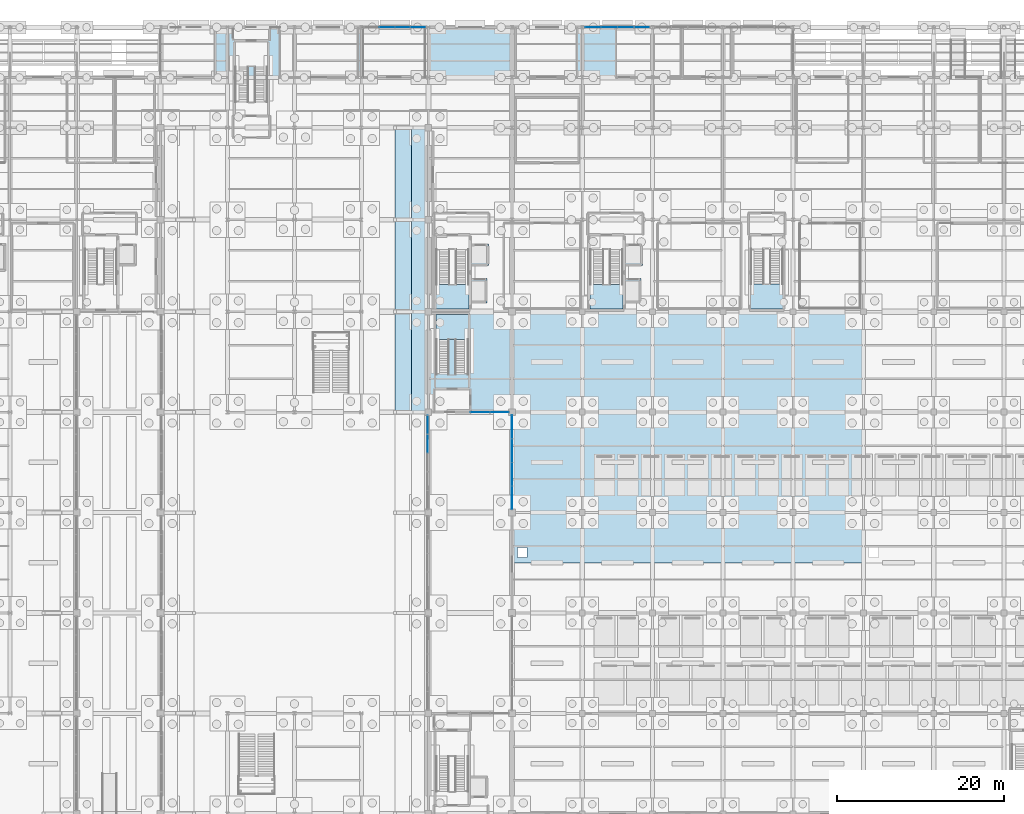
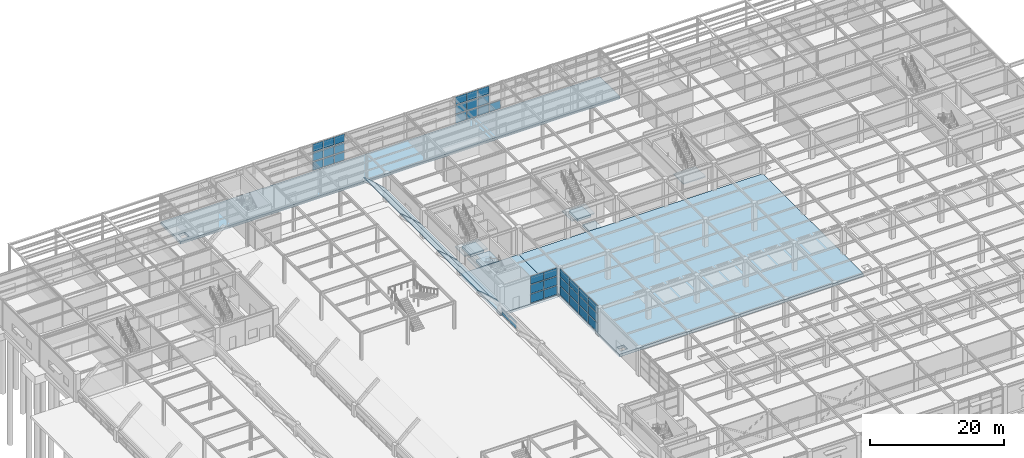
# One storey, part 89 of 129: 41 plates, 17 slabs, 9 elements without a shape of their own.
"""IFC4 building model written with IfcOpenShell, lengths in metres."""

from ifc_helpers import new_model, si_unit, direction, frame, origin, origin_2d, place, context, subcontext, project, spatial, polyline, rectangle, outline, extrude, material, layer, layer_set, type_object, element, aggregate, save


model = new_model("IFC4")

# Units and contexts
model_context = context("Model", 3, precision=1e-05, world=origin(), true_north=direction((0.0, 1.0)))
body_context = subcontext(model_context, "Body", "Model", "MODEL_VIEW")
ifc_project = project(units=[si_unit("LENGTHUNIT", "METRE"), si_unit("AREAUNIT", "SQUARE_METRE"), si_unit("VOLUMEUNIT", "CUBIC_METRE"), si_unit("PLANEANGLEUNIT", "RADIAN"), si_unit("MASSUNIT", "GRAM", prefix="KILO")], contexts=[model_context])

# Site, building, storey
site_placement = place(None, origin())
site = spatial("IfcSite", under=ifc_project, at=site_placement, CompositionType="ELEMENT")
building_placement = place(site_placement, origin())
building = spatial("IfcBuilding", under=site, at=building_placement, Name="Sitalva Quay Ferry Terminal", CompositionType="ELEMENT")
storey_placement = place(building_placement, origin())
storey = spatial("IfcBuildingStorey", under=building, at=storey_placement, Name="L01", CompositionType="ELEMENT", Elevation=0.0)

# Curtain wall, plates
ifc_material_1 = material(Name="Anodised Aluminium & Low-E Glazing", Category="aluminium")
ifc_layer_1 = layer(ifc_material_1, 0.159912109375)
ifc_layer_set_1 = layer_set([ifc_layer_1], Name="Anodised Aluminium & Low-E Glazing")
curtain_wall_type_1 = type_object("IfcCurtainWallType", Name="CW_VaultArch_Glazed", PredefinedType="USERDEFINED", material=ifc_layer_set_1)
curtain_wall_1_placement = place(storey_placement, origin())
curtain_wall_1 = element("IfcCurtainWall", 1, at=curtain_wall_1_placement, inside=storey, type_object=curtain_wall_type_1, Name="V1-E shallow-arch base glazing (CW-L01-032)", ObjectType="CURTAIN_WALL", PredefinedType="USERDEFINED")
ifc_material_2 = material(Name="Clear Low-Iron Arch Glazing", Category="glass")
ifc_layer_2 = layer(ifc_material_2, 0.02587890625)
ifc_layer_set_2 = layer_set([ifc_layer_2], Name="Clear Low-Iron Arch Glazing")
plate_type_1 = type_object("IfcPlateType", Name="Panel_Arch_IGU_26", PredefinedType="CURTAIN_PANEL", material=ifc_layer_set_2)
plate_1_placement = place(storey_placement, frame((73.919921875, 62.239990234375, 0.1552734375), z_axis=(0.0, 0.0, 1.0), x_axis=(0.0, 1.0, 0.0)))
plate_1 = element("IfcPlate", 2, at=plate_1_placement, type_object=plate_type_1, Name="CW-L01-032-P3-0", PredefinedType="CURTAIN_PANEL", context=body_context, shape_type="SweptSolid", body=[
    extrude(rectangle(XDim=2.169921875, YDim=0.02587890625, at=origin_2d()), origin(), (0.0, 0.0, 1.0), 0.698486328125),
])
plate_2_placement = place(storey_placement, frame((73.919921875, 62.239990234375, 1.0087890625), z_axis=(0.0, 0.0, 1.0), x_axis=(0.0, 1.0, 0.0)))
plate_2 = element("IfcPlate", 3, at=plate_2_placement, type_object=plate_type_1, Name="CW-L01-032-P3-1", PredefinedType="CURTAIN_PANEL", context=body_context, shape_type="SweptSolid", body=[
    extrude(rectangle(XDim=2.169921875, YDim=0.02587890625, at=origin_2d()), origin(), (0.0, 0.0, 1.0), 0.543701171875),
])
plate_3_placement = place(storey_placement, frame((73.919921875, 64.47998046875, 0.155029296875), z_axis=(0.0, 0.0, 1.0), x_axis=(0.0, 1.0, 0.0)))
plate_3 = element("IfcPlate", 4, at=plate_3_placement, type_object=plate_type_1, Name="CW-L01-032-P4-0", PredefinedType="CURTAIN_PANEL", context=body_context, shape_type="SweptSolid", body=[
    extrude(rectangle(XDim=2.169921875, YDim=0.02587890625, at=origin_2d()), origin(), (0.0, 0.0, 1.0), 0.544921875),
])
plate_4_placement = place(storey_placement, frame((73.919921875, 64.47998046875, 0.85498046875), z_axis=(0.0, 0.0, 1.0), x_axis=(0.0, 1.0, 0.0)))
plate_4 = element("IfcPlate", 5, at=plate_4_placement, type_object=plate_type_1, Name="CW-L01-032-P4-1", PredefinedType="CURTAIN_PANEL", context=body_context, shape_type="SweptSolid", body=[
    extrude(rectangle(XDim=2.169921875, YDim=0.02587890625, at=origin_2d()), origin(), (0.0, 0.0, 1.0), 0.389892578125),
])
aggregate(curtain_wall_1, [plate_1, plate_2, plate_3, plate_4])

ifc_material_3 = material(Name="Anodised Aluminium & Low-E Glazing", Category="aluminium")
ifc_layer_3 = layer(ifc_material_3, 0.159912109375)
ifc_layer_set_3 = layer_set([ifc_layer_3], Name="Anodised Aluminium & Low-E Glazing")
curtain_wall_type_2 = type_object("IfcCurtainWallType", Name="CW_Podium_Stick", PredefinedType="USERDEFINED", material=ifc_layer_set_3)
curtain_wall_2_placement = place(storey_placement, origin())
curtain_wall_2 = element("IfcCurtainWall", 6, at=curtain_wall_2_placement, inside=storey, type_object=curtain_wall_type_2, Name="L01 east monsoon court north glazing (CW-L01-075)", ObjectType="CURTAIN_WALL", PredefinedType="USERDEFINED")
ifc_material_4 = material(Name="Laminated Low-E Double Glazing", Category="glass")
ifc_layer_4 = layer(ifc_material_4, 0.028076171875)
ifc_layer_set_4 = layer_set([ifc_layer_4], Name="Laminated Low-E Double Glazing")
plate_type_2 = type_object("IfcPlateType", Name="Panel_LowE_IGU_28", PredefinedType="CURTAIN_PANEL", material=ifc_layer_set_4)
plate_5_placement = place(storey_placement, frame((80.199951171875, 66.0, 0.155029296875), z_axis=(0.0, 0.0, 1.0), x_axis=(1.0, 0.0, 0.0)))
plate_5 = element("IfcPlate", 7, at=plate_5_placement, type_object=plate_type_2, Name="CW-L01-075-P0-0", PredefinedType="CURTAIN_PANEL", context=body_context, shape_type="SweptSolid", body=[
    extrude(rectangle(XDim=2.22509765625, YDim=0.028076171875, at=origin_2d()), origin(), (0.0, 0.0, 1.0), 1.5517578125),
])
plate_6_placement = place(storey_placement, frame((80.199951171875, 66.0, 1.861572265625), z_axis=(0.0, 0.0, 1.0), x_axis=(1.0, 0.0, 0.0)))
plate_6 = element("IfcPlate", 8, at=plate_6_placement, type_object=plate_type_2, Name="CW-L01-075-P0-1", PredefinedType="CURTAIN_PANEL", context=body_context, shape_type="SweptSolid", body=[
    extrude(rectangle(XDim=2.22509765625, YDim=0.028076171875, at=origin_2d()), origin(), (0.0, 0.0, 1.0), 1.5517578125),
])
plate_7_placement = place(storey_placement, frame((80.199951171875, 66.0, 3.568359375), z_axis=(0.0, 0.0, 1.0), x_axis=(1.0, 0.0, 0.0)))
plate_7 = element("IfcPlate", 9, at=plate_7_placement, type_object=plate_type_2, Name="CW-L01-075-P0-2", PredefinedType="CURTAIN_PANEL", context=body_context, shape_type="SweptSolid", body=[
    extrude(rectangle(XDim=2.22509765625, YDim=0.028076171875, at=origin_2d()), origin(), (0.0, 0.0, 1.0), 1.396728515625),
])
plate_8_placement = place(storey_placement, frame((82.5, 66.0, 0.155029296875), z_axis=(0.0, 0.0, 1.0), x_axis=(1.0, 0.0, 0.0)))
plate_8 = element("IfcPlate", 10, at=plate_8_placement, type_object=plate_type_2, Name="CW-L01-075-P1-0", PredefinedType="CURTAIN_PANEL", context=body_context, shape_type="SweptSolid", body=[
    extrude(rectangle(XDim=2.22509765625, YDim=0.028076171875, at=origin_2d()), origin(), (0.0, 0.0, 1.0), 1.5517578125),
])
plate_9_placement = place(storey_placement, frame((82.5, 66.0, 1.861572265625), z_axis=(0.0, 0.0, 1.0), x_axis=(1.0, 0.0, 0.0)))
plate_9 = element("IfcPlate", 11, at=plate_9_placement, type_object=plate_type_2, Name="CW-L01-075-P1-1", PredefinedType="CURTAIN_PANEL", context=body_context, shape_type="SweptSolid", body=[
    extrude(rectangle(XDim=2.22509765625, YDim=0.028076171875, at=origin_2d()), origin(), (0.0, 0.0, 1.0), 1.5517578125),
])
plate_10_placement = place(storey_placement, frame((82.5, 66.0, 3.568359375), z_axis=(0.0, 0.0, 1.0), x_axis=(1.0, 0.0, 0.0)))
plate_10 = element("IfcPlate", 12, at=plate_10_placement, type_object=plate_type_2, Name="CW-L01-075-P1-2", PredefinedType="CURTAIN_PANEL", context=body_context, shape_type="SweptSolid", body=[
    extrude(rectangle(XDim=2.22509765625, YDim=0.028076171875, at=origin_2d()), origin(), (0.0, 0.0, 1.0), 1.396728515625),
])
aggregate(curtain_wall_2, [plate_5, plate_6, plate_7, plate_8, plate_9, plate_10])

ifc_material_5 = material(Name="Anodised Aluminium & Low-E Glazing", Category="aluminium")
ifc_layer_5 = layer(ifc_material_5, 0.159912109375)
ifc_layer_set_5 = layer_set([ifc_layer_5], Name="Anodised Aluminium & Low-E Glazing")
curtain_wall_type_3 = type_object("IfcCurtainWallType", Name="CW_Concourse_Unitised", PredefinedType="USERDEFINED", material=ifc_layer_set_5)
curtain_wall_3_placement = place(storey_placement, origin())
curtain_wall_3 = element("IfcCurtainWall", 13, at=curtain_wall_3_placement, inside=storey, type_object=curtain_wall_type_3, Name="Forecourt arrival hall glazing L01 (CW-L01-102)", ObjectType="CURTAIN_WALL", PredefinedType="USERDEFINED")
ifc_material_6 = material(Name="Acoustic Laminated Marine Glazing", Category="glass")
ifc_layer_6 = layer(ifc_material_6, 0.033935546875)
ifc_layer_set_6 = layer_set([ifc_layer_6], Name="Acoustic Laminated Marine Glazing")
plate_type_3 = type_object("IfcPlateType", Name="Panel_Marine_IGU_34", PredefinedType="CURTAIN_PANEL", material=ifc_layer_set_6)
plate_11_placement = place(storey_placement, frame((69.074951171875, 112.0, 0.14990234375), z_axis=(0.0, 0.0, 1.0), x_axis=(1.0, 0.0, 0.0)))
plate_11 = element("IfcPlate", 14, at=plate_11_placement, type_object=plate_type_3, Name="CW-L01-102-P1-0", PredefinedType="CURTAIN_PANEL", context=body_context, shape_type="SweptSolid", body=[
    extrude(rectangle(XDim=1.764892578125, YDim=0.033935546875, at=origin_2d()), origin(), (0.0, 0.0, 1.0), 1.556640625),
])
plate_12_placement = place(storey_placement, frame((69.074951171875, 112.0, 1.856689453125), z_axis=(0.0, 0.0, 1.0), x_axis=(1.0, 0.0, 0.0)))
plate_12 = element("IfcPlate", 15, at=plate_12_placement, type_object=plate_type_3, Name="CW-L01-102-P1-1", PredefinedType="CURTAIN_PANEL", context=body_context, shape_type="SweptSolid", body=[
    extrude(rectangle(XDim=1.764892578125, YDim=0.033935546875, at=origin_2d()), origin(), (0.0, 0.0, 1.0), 1.556640625),
])
plate_13_placement = place(storey_placement, frame((69.074951171875, 112.0, 3.563232421875), z_axis=(0.0, 0.0, 1.0), x_axis=(1.0, 0.0, 0.0)))
plate_13 = element("IfcPlate", 16, at=plate_13_placement, type_object=plate_type_3, Name="CW-L01-102-P1-2", PredefinedType="CURTAIN_PANEL", context=body_context, shape_type="SweptSolid", body=[
    extrude(rectangle(XDim=1.764892578125, YDim=0.033935546875, at=origin_2d()), origin(), (0.0, 0.0, 1.0), 1.40673828125),
])
plate_14_placement = place(storey_placement, frame((70.925048828125, 112.0, 0.14990234375), z_axis=(0.0, 0.0, 1.0), x_axis=(1.0, 0.0, 0.0)))
plate_14 = element("IfcPlate", 17, at=plate_14_placement, type_object=plate_type_3, Name="CW-L01-102-P2-0", PredefinedType="CURTAIN_PANEL", context=body_context, shape_type="SweptSolid", body=[
    extrude(rectangle(XDim=1.764892578125, YDim=0.033935546875, at=origin_2d()), origin(), (0.0, 0.0, 1.0), 1.556640625),
])
plate_15_placement = place(storey_placement, frame((70.925048828125, 112.0, 1.856689453125), z_axis=(0.0, 0.0, 1.0), x_axis=(1.0, 0.0, 0.0)))
plate_15 = element("IfcPlate", 18, at=plate_15_placement, type_object=plate_type_3, Name="CW-L01-102-P2-1", PredefinedType="CURTAIN_PANEL", context=body_context, shape_type="SweptSolid", body=[
    extrude(rectangle(XDim=1.764892578125, YDim=0.033935546875, at=origin_2d()), origin(), (0.0, 0.0, 1.0), 1.556640625),
])
plate_16_placement = place(storey_placement, frame((70.925048828125, 112.0, 3.563232421875), z_axis=(0.0, 0.0, 1.0), x_axis=(1.0, 0.0, 0.0)))
plate_16 = element("IfcPlate", 19, at=plate_16_placement, type_object=plate_type_3, Name="CW-L01-102-P2-2", PredefinedType="CURTAIN_PANEL", context=body_context, shape_type="SweptSolid", body=[
    extrude(rectangle(XDim=1.764892578125, YDim=0.033935546875, at=origin_2d()), origin(), (0.0, 0.0, 1.0), 1.40673828125),
])
plate_17_placement = place(storey_placement, frame((72.77490234375, 112.0, 0.14990234375), z_axis=(0.0, 0.0, 1.0), x_axis=(1.0, 0.0, 0.0)))
plate_17 = element("IfcPlate", 20, at=plate_17_placement, type_object=plate_type_3, Name="CW-L01-102-P3-0", PredefinedType="CURTAIN_PANEL", context=body_context, shape_type="SweptSolid", body=[
    extrude(rectangle(XDim=1.764892578125, YDim=0.033935546875, at=origin_2d()), origin(), (0.0, 0.0, 1.0), 1.556640625),
])
plate_18_placement = place(storey_placement, frame((72.77490234375, 112.0, 1.856689453125), z_axis=(0.0, 0.0, 1.0), x_axis=(1.0, 0.0, 0.0)))
plate_18 = element("IfcPlate", 21, at=plate_18_placement, type_object=plate_type_3, Name="CW-L01-102-P3-1", PredefinedType="CURTAIN_PANEL", context=body_context, shape_type="SweptSolid", body=[
    extrude(rectangle(XDim=1.764892578125, YDim=0.033935546875, at=origin_2d()), origin(), (0.0, 0.0, 1.0), 1.556640625),
])
plate_19_placement = place(storey_placement, frame((72.77490234375, 112.0, 3.563232421875), z_axis=(0.0, 0.0, 1.0), x_axis=(1.0, 0.0, 0.0)))
plate_19 = element("IfcPlate", 22, at=plate_19_placement, type_object=plate_type_3, Name="CW-L01-102-P3-2", PredefinedType="CURTAIN_PANEL", context=body_context, shape_type="SweptSolid", body=[
    extrude(rectangle(XDim=1.764892578125, YDim=0.033935546875, at=origin_2d()), origin(), (0.0, 0.0, 1.0), 1.40673828125),
])
aggregate(curtain_wall_3, [plate_11, plate_12, plate_13, plate_14, plate_15, plate_16, plate_17, plate_18, plate_19])

curtain_wall_4_placement = place(storey_placement, origin())
curtain_wall_4 = element("IfcCurtainWall", 23, at=curtain_wall_4_placement, inside=storey, type_object=curtain_wall_type_3, Name="Forecourt arrival hall glazing L01 (CW-L01-103)", ObjectType="CURTAIN_WALL", PredefinedType="USERDEFINED")
plate_20_placement = place(storey_placement, frame((93.675048828125, 112.0, 0.14990234375), z_axis=(0.0, 0.0, 1.0), x_axis=(1.0, 0.0, 0.0)))
plate_20 = element("IfcPlate", 24, at=plate_20_placement, type_object=plate_type_3, Name="CW-L01-103-P0-0", PredefinedType="CURTAIN_PANEL", context=body_context, shape_type="SweptSolid", body=[
    extrude(rectangle(XDim=1.864990234375, YDim=0.033935546875, at=origin_2d()), origin(), (0.0, 0.0, 1.0), 1.556640625),
])
plate_21_placement = place(storey_placement, frame((93.675048828125, 112.0, 1.856689453125), z_axis=(0.0, 0.0, 1.0), x_axis=(1.0, 0.0, 0.0)))
plate_21 = element("IfcPlate", 25, at=plate_21_placement, type_object=plate_type_3, Name="CW-L01-103-P0-1", PredefinedType="CURTAIN_PANEL", context=body_context, shape_type="SweptSolid", body=[
    extrude(rectangle(XDim=1.864990234375, YDim=0.033935546875, at=origin_2d()), origin(), (0.0, 0.0, 1.0), 1.556640625),
])
plate_22_placement = place(storey_placement, frame((93.675048828125, 112.0, 3.563232421875), z_axis=(0.0, 0.0, 1.0), x_axis=(1.0, 0.0, 0.0)))
plate_22 = element("IfcPlate", 26, at=plate_22_placement, type_object=plate_type_3, Name="CW-L01-103-P0-2", PredefinedType="CURTAIN_PANEL", context=body_context, shape_type="SweptSolid", body=[
    extrude(rectangle(XDim=1.864990234375, YDim=0.033935546875, at=origin_2d()), origin(), (0.0, 0.0, 1.0), 1.40673828125),
])
plate_23_placement = place(storey_placement, frame((95.625, 112.0, 0.14990234375), z_axis=(0.0, 0.0, 1.0), x_axis=(1.0, 0.0, 0.0)))
plate_23 = element("IfcPlate", 27, at=plate_23_placement, type_object=plate_type_3, Name="CW-L01-103-P1-0", PredefinedType="CURTAIN_PANEL", context=body_context, shape_type="SweptSolid", body=[
    extrude(rectangle(XDim=1.864990234375, YDim=0.033935546875, at=origin_2d()), origin(), (0.0, 0.0, 1.0), 1.556640625),
])
plate_24_placement = place(storey_placement, frame((95.625, 112.0, 1.856689453125), z_axis=(0.0, 0.0, 1.0), x_axis=(1.0, 0.0, 0.0)))
plate_24 = element("IfcPlate", 28, at=plate_24_placement, type_object=plate_type_3, Name="CW-L01-103-P1-1", PredefinedType="CURTAIN_PANEL", context=body_context, shape_type="SweptSolid", body=[
    extrude(rectangle(XDim=1.864990234375, YDim=0.033935546875, at=origin_2d()), origin(), (0.0, 0.0, 1.0), 1.556640625),
])
plate_25_placement = place(storey_placement, frame((95.625, 112.0, 3.563232421875), z_axis=(0.0, 0.0, 1.0), x_axis=(1.0, 0.0, 0.0)))
plate_25 = element("IfcPlate", 29, at=plate_25_placement, type_object=plate_type_3, Name="CW-L01-103-P1-2", PredefinedType="CURTAIN_PANEL", context=body_context, shape_type="SweptSolid", body=[
    extrude(rectangle(XDim=1.864990234375, YDim=0.033935546875, at=origin_2d()), origin(), (0.0, 0.0, 1.0), 1.40673828125),
])
plate_26_placement = place(storey_placement, frame((97.574951171875, 112.0, 0.14990234375), z_axis=(0.0, 0.0, 1.0), x_axis=(1.0, 0.0, 0.0)))
plate_26 = element("IfcPlate", 30, at=plate_26_placement, type_object=plate_type_3, Name="CW-L01-103-P2-0", PredefinedType="CURTAIN_PANEL", context=body_context, shape_type="SweptSolid", body=[
    extrude(rectangle(XDim=1.864990234375, YDim=0.033935546875, at=origin_2d()), origin(), (0.0, 0.0, 1.0), 1.556640625),
])
plate_27_placement = place(storey_placement, frame((97.574951171875, 112.0, 1.856689453125), z_axis=(0.0, 0.0, 1.0), x_axis=(1.0, 0.0, 0.0)))
plate_27 = element("IfcPlate", 31, at=plate_27_placement, type_object=plate_type_3, Name="CW-L01-103-P2-1", PredefinedType="CURTAIN_PANEL", context=body_context, shape_type="SweptSolid", body=[
    extrude(rectangle(XDim=1.864990234375, YDim=0.033935546875, at=origin_2d()), origin(), (0.0, 0.0, 1.0), 1.556640625),
])
plate_28_placement = place(storey_placement, frame((97.574951171875, 112.0, 3.563232421875), z_axis=(0.0, 0.0, 1.0), x_axis=(1.0, 0.0, 0.0)))
plate_28 = element("IfcPlate", 32, at=plate_28_placement, type_object=plate_type_3, Name="CW-L01-103-P2-2", PredefinedType="CURTAIN_PANEL", context=body_context, shape_type="SweptSolid", body=[
    extrude(rectangle(XDim=1.864990234375, YDim=0.033935546875, at=origin_2d()), origin(), (0.0, 0.0, 1.0), 1.40673828125),
])
plate_29_placement = place(storey_placement, frame((99.52490234375, 112.0, 0.14990234375), z_axis=(0.0, 0.0, 1.0), x_axis=(1.0, 0.0, 0.0)))
plate_29 = element("IfcPlate", 33, at=plate_29_placement, type_object=plate_type_3, Name="CW-L01-103-P3-0", PredefinedType="CURTAIN_PANEL", context=body_context, shape_type="SweptSolid", body=[
    extrude(rectangle(XDim=1.864990234375, YDim=0.033935546875, at=origin_2d()), origin(), (0.0, 0.0, 1.0), 1.556640625),
])
aggregate(curtain_wall_4, [plate_20, plate_21, plate_22, plate_23, plate_24, plate_25, plate_26, plate_27, plate_28, plate_29])

ifc_material_7 = material(Name="Anodised Aluminium & Low-E Glazing", Category="aluminium")
ifc_layer_7 = layer(ifc_material_7, 0.159912109375)
ifc_layer_set_7 = layer_set([ifc_layer_7], Name="Anodised Aluminium & Low-E Glazing")
curtain_wall_type_4 = type_object("IfcCurtainWallType", Name="CW_Coastal_Louvred", PredefinedType="USERDEFINED", material=ifc_layer_set_7)
curtain_wall_5_placement = place(storey_placement, origin())
curtain_wall_5 = element("IfcCurtainWall", 34, at=curtain_wall_5_placement, inside=storey, type_object=curtain_wall_type_4, Name="L01 east court louvred wall (CW-L01-077)", ObjectType="CURTAIN_WALL", PredefinedType="USERDEFINED")
ifc_material_8 = material(Name="Insulated Spandrel Cassette", Category="aluminium")
ifc_layer_8 = layer(ifc_material_8, 0.0400390625)
ifc_layer_set_8 = layer_set([ifc_layer_8], Name="Insulated Spandrel Cassette")
plate_type_4 = type_object("IfcPlateType", Name="Panel_Spandrel_Alu_40", PredefinedType="CURTAIN_PANEL", material=ifc_layer_set_8)
plate_30_placement = place(storey_placement, frame((84.0, 55.762451171875, 0.14990234375), z_axis=(0.0, 0.0, 1.0), x_axis=(0.0, 1.0, 0.0)))
plate_30 = element("IfcPlate", 35, at=plate_30_placement, type_object=plate_type_4, Name="CW-L01-077-P0-0", PredefinedType="CURTAIN_PANEL", context=body_context, shape_type="SweptSolid", body=[
    extrude(rectangle(XDim=2.7451171875, YDim=0.0400390625, at=origin_2d()), origin(), (0.0, 0.0, 1.0), 1.543212890625),
])
plate_31_placement = place(storey_placement, frame((84.0, 55.762451171875, 1.84326171875), z_axis=(0.0, 0.0, 1.0), x_axis=(0.0, 1.0, 0.0)))
plate_31 = element("IfcPlate", 36, at=plate_31_placement, type_object=plate_type_4, Name="CW-L01-077-P0-1", PredefinedType="CURTAIN_PANEL", context=body_context, shape_type="SweptSolid", body=[
    extrude(rectangle(XDim=2.7451171875, YDim=0.0400390625, at=origin_2d()), origin(), (0.0, 0.0, 1.0), 1.543212890625),
])
plate_32_placement = place(storey_placement, frame((84.0, 55.762451171875, 3.53662109375), z_axis=(0.0, 0.0, 1.0), x_axis=(0.0, 1.0, 0.0)))
plate_32 = element("IfcPlate", 37, at=plate_32_placement, type_object=plate_type_4, Name="CW-L01-077-P0-2", PredefinedType="CURTAIN_PANEL", context=body_context, shape_type="SweptSolid", body=[
    extrude(rectangle(XDim=2.7451171875, YDim=0.0400390625, at=origin_2d()), origin(), (0.0, 0.0, 1.0), 1.393310546875),
])
plate_33_placement = place(storey_placement, frame((84.0, 58.58740234375, 0.14990234375), z_axis=(0.0, 0.0, 1.0), x_axis=(0.0, 1.0, 0.0)))
plate_33 = element("IfcPlate", 38, at=plate_33_placement, type_object=plate_type_4, Name="CW-L01-077-P1-0", PredefinedType="CURTAIN_PANEL", context=body_context, shape_type="SweptSolid", body=[
    extrude(rectangle(XDim=2.7451171875, YDim=0.0400390625, at=origin_2d()), origin(), (0.0, 0.0, 1.0), 1.543212890625),
])
plate_34_placement = place(storey_placement, frame((84.0, 58.58740234375, 1.84326171875), z_axis=(0.0, 0.0, 1.0), x_axis=(0.0, 1.0, 0.0)))
plate_34 = element("IfcPlate", 39, at=plate_34_placement, type_object=plate_type_4, Name="CW-L01-077-P1-1", PredefinedType="CURTAIN_PANEL", context=body_context, shape_type="SweptSolid", body=[
    extrude(rectangle(XDim=2.7451171875, YDim=0.0400390625, at=origin_2d()), origin(), (0.0, 0.0, 1.0), 1.543212890625),
])
plate_35_placement = place(storey_placement, frame((84.0, 58.58740234375, 3.53662109375), z_axis=(0.0, 0.0, 1.0), x_axis=(0.0, 1.0, 0.0)))
plate_35 = element("IfcPlate", 40, at=plate_35_placement, type_object=plate_type_4, Name="CW-L01-077-P1-2", PredefinedType="CURTAIN_PANEL", context=body_context, shape_type="SweptSolid", body=[
    extrude(rectangle(XDim=2.7451171875, YDim=0.0400390625, at=origin_2d()), origin(), (0.0, 0.0, 1.0), 1.393310546875),
])
plate_36_placement = place(storey_placement, frame((84.0, 61.41259765625, 0.14990234375), z_axis=(0.0, 0.0, 1.0), x_axis=(0.0, 1.0, 0.0)))
plate_36 = element("IfcPlate", 41, at=plate_36_placement, type_object=plate_type_4, Name="CW-L01-077-P2-0", PredefinedType="CURTAIN_PANEL", context=body_context, shape_type="SweptSolid", body=[
    extrude(rectangle(XDim=2.7451171875, YDim=0.0400390625, at=origin_2d()), origin(), (0.0, 0.0, 1.0), 1.543212890625),
])
plate_37_placement = place(storey_placement, frame((84.0, 61.41259765625, 1.84326171875), z_axis=(0.0, 0.0, 1.0), x_axis=(0.0, 1.0, 0.0)))
plate_37 = element("IfcPlate", 42, at=plate_37_placement, type_object=plate_type_4, Name="CW-L01-077-P2-1", PredefinedType="CURTAIN_PANEL", context=body_context, shape_type="SweptSolid", body=[
    extrude(rectangle(XDim=2.7451171875, YDim=0.0400390625, at=origin_2d()), origin(), (0.0, 0.0, 1.0), 1.543212890625),
])
plate_38_placement = place(storey_placement, frame((84.0, 61.41259765625, 3.53662109375), z_axis=(0.0, 0.0, 1.0), x_axis=(0.0, 1.0, 0.0)))
plate_38 = element("IfcPlate", 43, at=plate_38_placement, type_object=plate_type_4, Name="CW-L01-077-P2-2", PredefinedType="CURTAIN_PANEL", context=body_context, shape_type="SweptSolid", body=[
    extrude(rectangle(XDim=2.7451171875, YDim=0.0400390625, at=origin_2d()), origin(), (0.0, 0.0, 1.0), 1.393310546875),
])
plate_39_placement = place(storey_placement, frame((84.0, 64.237548828125, 0.14990234375), z_axis=(0.0, 0.0, 1.0), x_axis=(0.0, 1.0, 0.0)))
plate_39 = element("IfcPlate", 44, at=plate_39_placement, type_object=plate_type_4, Name="CW-L01-077-P3-0", PredefinedType="CURTAIN_PANEL", context=body_context, shape_type="SweptSolid", body=[
    extrude(rectangle(XDim=2.7451171875, YDim=0.0400390625, at=origin_2d()), origin(), (0.0, 0.0, 1.0), 1.543212890625),
])
plate_40_placement = place(storey_placement, frame((84.0, 64.237548828125, 1.84326171875), z_axis=(0.0, 0.0, 1.0), x_axis=(0.0, 1.0, 0.0)))
plate_40 = element("IfcPlate", 45, at=plate_40_placement, type_object=plate_type_4, Name="CW-L01-077-P3-1", PredefinedType="CURTAIN_PANEL", context=body_context, shape_type="SweptSolid", body=[
    extrude(rectangle(XDim=2.7451171875, YDim=0.0400390625, at=origin_2d()), origin(), (0.0, 0.0, 1.0), 1.543212890625),
])
plate_41_placement = place(storey_placement, frame((84.0, 64.237548828125, 3.53662109375), z_axis=(0.0, 0.0, 1.0), x_axis=(0.0, 1.0, 0.0)))
plate_41 = element("IfcPlate", 46, at=plate_41_placement, type_object=plate_type_4, Name="CW-L01-077-P3-2", PredefinedType="CURTAIN_PANEL", context=body_context, shape_type="SweptSolid", body=[
    extrude(rectangle(XDim=2.7451171875, YDim=0.0400390625, at=origin_2d()), origin(), (0.0, 0.0, 1.0), 1.393310546875),
])
aggregate(curtain_wall_5, [plate_30, plate_31, plate_32, plate_33, plate_34, plate_35, plate_36, plate_37, plate_38, plate_39, plate_40, plate_41])

# Slabs
ifc_material_9 = material(Name="Concrete C35/45", Category="concrete")
ifc_layer_9 = layer(ifc_material_9, 0.5)
ifc_layer_set_9 = layer_set([ifc_layer_9], Name="Concrete C35/45")
slab_type_1 = type_object("IfcSlabType", Name="Slab_ApronHeavy_500", PredefinedType="BASESLAB", material=ifc_layer_set_9)
slab_1_placement = place(storey_placement, frame((0.0, 0.0, -0.5)))
element("IfcSlab", 47, at=slab_1_placement, inside=storey, type_object=slab_type_1, Name="L01 Ro-Ro deck NW base 020", PredefinedType="BASESLAB", context=body_context, shape_type="SweptSolid", body=[
    extrude(outline(polyline([(84.0, 48.0), (126.0, 48.0), (126.0, 78.0), (84.0, 78.0), (84.0, 48.0)]), holes=[polyline([(84.64990234375, 48.64990234375), (84.64990234375, 49.800048828125), (85.800048828125, 49.800048828125), (85.800048828125, 48.64990234375), (84.64990234375, 48.64990234375)])]), origin(), (0.0, 0.0, 1.0), 0.5),
])
ifc_material_10 = material(Name="Concrete C35/45", Category="concrete")
ifc_layer_10 = layer(ifc_material_10, 0.419921875)
ifc_layer_set_10 = layer_set([ifc_layer_10], Name="Concrete C35/45")
slab_type_2 = type_object("IfcSlabType", Name="Slab_LiftPit_420", PredefinedType="BASESLAB", material=ifc_layer_set_10)
slab_2_placement = place(storey_placement, frame((0.0, 0.0, -2.02001953125)))
element("IfcSlab", 48, at=slab_2_placement, inside=storey, type_object=slab_type_2, Name="Lift LF-01 pit base slab", PredefinedType="BASESLAB", context=body_context, shape_type="SweptSolid", body=[
    extrude(outline(polyline([(78.89990234375, 79.050048828125), (81.0, 79.050048828125), (81.0, 81.949951171875), (78.89990234375, 81.949951171875), (78.89990234375, 79.050048828125)])), origin(), (0.0, 0.0, 1.0), 0.419921875),
])
slab_3_placement = place(storey_placement, frame((0.0, 0.0, -2.02001953125)))
element("IfcSlab", 49, at=slab_3_placement, inside=storey, type_object=slab_type_2, Name="Lift LF-03 pit base slab", PredefinedType="BASESLAB", context=body_context, shape_type="SweptSolid", body=[
    extrude(outline(polyline([(78.89990234375, 83.5), (81.199951171875, 83.5), (81.199951171875, 86.10009765625), (78.89990234375, 86.10009765625), (78.89990234375, 83.5)])), origin(), (0.0, 0.0, 1.0), 0.419921875),
])
slab_4_placement = place(storey_placement, frame((0.0, 0.0, -2.02001953125)))
element("IfcSlab", 50, at=slab_4_placement, inside=storey, type_object=slab_type_2, Name="Lift LF-02 pit base slab", PredefinedType="BASESLAB", context=body_context, shape_type="SweptSolid", body=[
    extrude(outline(polyline([(97.300048828125, 79.050048828125), (99.39990234375, 79.050048828125), (99.39990234375, 81.949951171875), (97.300048828125, 81.949951171875), (97.300048828125, 79.050048828125)])), origin(), (0.0, 0.0, 1.0), 0.419921875),
])
slab_5_placement = place(storey_placement, frame((0.0, 0.0, -2.02001953125)))
element("IfcSlab", 51, at=slab_5_placement, inside=storey, type_object=slab_type_2, Name="Lift LF-04 pit base slab", PredefinedType="BASESLAB", context=body_context, shape_type="SweptSolid", body=[
    extrude(outline(polyline([(97.300048828125, 83.5), (99.60009765625, 83.5), (99.60009765625, 86.10009765625), (97.300048828125, 86.10009765625), (97.300048828125, 83.5)])), origin(), (0.0, 0.0, 1.0), 0.419921875),
])
ifc_material_11 = material(Name="Concrete C40/50", Category="concrete")
ifc_layer_11 = layer(ifc_material_11, 0.159912109375)
ifc_layer_set_11 = layer_set([ifc_layer_11], Name="Concrete C40/50")
slab_type_3 = type_object("IfcSlabType", Name="Slab_PointedVaultShell_160", PredefinedType="ROOF", material=ifc_layer_set_11)
slab_6_placement = place(storey_placement, frame((70.0, 66.0, 5.704833984375), z_axis=(0.649521624646, 0.0, 0.760343119334), x_axis=(0.760343119334, 0.0, -0.649521624646)))
element("IfcSlab", 52, at=slab_6_placement, inside=storey, type_object=slab_type_3, Name="Vault V1 pointed shell facet B6-F15", PredefinedType="ROOF", context=body_context, shape_type="SweptSolid", body=[
    extrude(outline(polyline([(0.0, 0.0), (2.630391397180087, 0.0), (2.630391397180087, 12.0), (0.0, 12.0), (0.0, 0.0)])), origin(), (0.649521624646, 0.0, -0.760343119334), 0.21044921875),
])
slab_7_placement = place(storey_placement, frame((72.0, 66.0, 3.996337890625), z_axis=(0.688047902254, 0.0, 0.725665270082), x_axis=(0.725665270082, 0.0, -0.688047902254)))
element("IfcSlab", 53, at=slab_7_placement, inside=storey, type_object=slab_type_3, Name="Vault V1 pointed shell facet B6-F16", PredefinedType="ROOF", context=body_context, shape_type="SweptSolid", body=[
    extrude(outline(polyline([(0.0, 0.0), (2.2325957356566075, 0.0), (2.2325957356566075, 12.0), (0.0, 12.0), (0.0, 0.0)])), origin(), (0.688047902254, 0.0, -0.725665270082), 0.220458984375),
])
slab_8_placement = place(storey_placement, frame((70.0, 78.0, 5.704833984375), z_axis=(0.649521624646, 0.0, 0.760343119334), x_axis=(0.760343119334, 0.0, -0.649521624646)))
element("IfcSlab", 54, at=slab_8_placement, inside=storey, type_object=slab_type_3, Name="Vault V1 pointed shell facet B7-F15", PredefinedType="ROOF", context=body_context, shape_type="SweptSolid", body=[
    extrude(outline(polyline([(0.0, 0.0), (2.630391397180087, 0.0), (2.630391397180087, 11.0), (0.0, 11.0), (0.0, 0.0)])), origin(), (0.649521624646, 0.0, -0.760343119334), 0.21044921875),
])
slab_9_placement = place(storey_placement, frame((72.0, 78.0, 3.996337890625), z_axis=(0.688047902254, 0.0, 0.725665270082), x_axis=(0.725665270082, 0.0, -0.688047902254)))
element("IfcSlab", 55, at=slab_9_placement, inside=storey, type_object=slab_type_3, Name="Vault V1 pointed shell facet B7-F16", PredefinedType="ROOF", context=body_context, shape_type="SweptSolid", body=[
    extrude(outline(polyline([(0.0, 0.0), (2.2325957356566075, 0.0), (2.2325957356566075, 11.0), (0.0, 11.0), (0.0, 0.0)])), origin(), (0.688047902254, 0.0, -0.725665270082), 0.220458984375),
])
slab_10_placement = place(storey_placement, frame((70.0, 89.0, 5.704833984375), z_axis=(0.649521624646, 0.0, 0.760343119334), x_axis=(0.760343119334, 0.0, -0.649521624646)))
element("IfcSlab", 56, at=slab_10_placement, inside=storey, type_object=slab_type_3, Name="Vault V1 pointed shell facet B8-F15", PredefinedType="ROOF", context=body_context, shape_type="SweptSolid", body=[
    extrude(outline(polyline([(0.0, 0.0), (2.630391397180087, 0.0), (2.630391397180087, 11.0), (0.0, 11.0), (0.0, 0.0)])), origin(), (0.649521624646, 0.0, -0.760343119334), 0.21044921875),
])
slab_11_placement = place(storey_placement, frame((72.0, 89.0, 3.996337890625), z_axis=(0.688047902254, 0.0, 0.725665270082), x_axis=(0.725665270082, 0.0, -0.688047902254)))
element("IfcSlab", 57, at=slab_11_placement, inside=storey, type_object=slab_type_3, Name="Vault V1 pointed shell facet B8-F16", PredefinedType="ROOF", context=body_context, shape_type="SweptSolid", body=[
    extrude(outline(polyline([(0.0, 0.0), (2.2325957356566075, 0.0), (2.2325957356566075, 11.0), (0.0, 11.0), (0.0, 0.0)])), origin(), (0.688047902254, 0.0, -0.725665270082), 0.220458984375),
])
ifc_material_12 = material(Name="Concrete C35/45", Category="concrete")
ifc_layer_12 = layer(ifc_material_12, 0.449951171875)
ifc_layer_set_12 = layer_set([ifc_layer_12], Name="Concrete C35/45")
slab_type_4 = type_object("IfcSlabType", Name="Slab_QuayBase_450", PredefinedType="BASESLAB", material=ifc_layer_set_12)
slab_12_placement = place(storey_placement, frame((0.0, 0.0, -0.449951171875)))
element("IfcSlab", 58, at=slab_12_placement, inside=storey, type_object=slab_type_4, Name="L01 North transition spine base 016", PredefinedType="BASESLAB", context=body_context, shape_type="SweptSolid", body=[
    extrude(outline(polyline([(74.0, 66.0), (84.0, 66.0), (84.0, 78.0), (74.0, 78.0), (74.0, 66.0)])), origin(), (0.0, 0.0, 1.0), 0.449951171875),
])
slab_13_placement = place(storey_placement, frame((0.0, 0.0, -0.449951171875)))
element("IfcSlab", 59, at=slab_13_placement, inside=storey, type_object=slab_type_4, Name="L01 North forecourt bar base 029", PredefinedType="BASESLAB", context=body_context, shape_type="SweptSolid", body=[
    extrude(outline(polyline([(42.0, 106.0), (117.60009765625, 106.0), (117.60009765625, 112.0), (42.0, 112.0), (42.0, 106.0)]), holes=[polyline([(42.64990234375, 106.64990234375), (42.64990234375, 107.800048828125), (43.800048828125, 107.800048828125), (43.800048828125, 106.64990234375), (42.64990234375, 106.64990234375)])]), origin(), (0.0, 0.0, 1.0), 0.449951171875),
])

# Stair, slab
ifc_material_13 = material(Name="Concrete C35/45", Category="concrete")
stair_type_1 = type_object("IfcStairType", Name="Stair_CoreDogLeg_1500", PredefinedType="HALF_TURN_STAIR", material=ifc_material_13)
stair_1_placement = place(storey_placement, origin())
stair_1 = element("IfcStair", 60, at=stair_1_placement, inside=storey, type_object=stair_type_1, Name="L01 Core C1 stair ST-01", PredefinedType="HALF_TURN_STAIR")
ifc_material_14 = material(Name="Concrete C35/45", Category="concrete")
ifc_layer_13 = layer(ifc_material_14, 0.199951171875)
ifc_layer_set_13 = layer_set([ifc_layer_13], Name="Concrete C35/45")
slab_type_5 = type_object("IfcSlabType", Name="Slab_StairLanding_200", PredefinedType="LANDING", material=ifc_layer_set_13)
slab_14_placement = place(storey_placement, frame((0.0, 0.0, 2.5)))
slab_14 = element("IfcSlab", 61, at=slab_14_placement, type_object=slab_type_5, Name="ST-01 landing 1", PredefinedType="LANDING", context=body_context, shape_type="SweptSolid", body=[
    extrude(outline(polyline([(74.929931640625, 81.25), (74.929931640625, 78.330078125), (78.8701171875, 78.330078125), (78.8701171875, 81.25), (74.929931640625, 81.25)])), origin(), (0.0, 0.0, 1.0), 0.199951171875),
])
aggregate(stair_1, [slab_14])

stair_2_placement = place(storey_placement, origin())
stair_2 = element("IfcStair", 62, at=stair_2_placement, inside=storey, type_object=stair_type_1, Name="L01 Core C2 stair ST-02", PredefinedType="HALF_TURN_STAIR")
slab_15_placement = place(storey_placement, frame((0.0, 0.0, 2.5)))
slab_15 = element("IfcSlab", 63, at=slab_15_placement, type_object=slab_type_5, Name="ST-02 landing 1", PredefinedType="LANDING", context=body_context, shape_type="SweptSolid", body=[
    extrude(outline(polyline([(93.330078125, 81.25), (93.330078125, 78.330078125), (97.27001953125, 78.330078125), (97.27001953125, 81.25), (93.330078125, 81.25)])), origin(), (0.0, 0.0, 1.0), 0.199951171875),
])
aggregate(stair_2, [slab_15])

ifc_material_15 = material(Name="Concrete C35/45", Category="concrete")
stair_type_2 = type_object("IfcStairType", Name="Stair_CoreDogLeg_1400", PredefinedType="HALF_TURN_STAIR", material=ifc_material_15)
stair_3_placement = place(storey_placement, origin())
stair_3 = element("IfcStair", 64, at=stair_3_placement, inside=storey, type_object=stair_type_2, Name="L01 Core C4 stair ST-04", PredefinedType="HALF_TURN_STAIR")
slab_16_placement = place(storey_placement, frame((0.0, 0.0, 2.5)))
slab_16 = element("IfcSlab", 65, at=slab_16_placement, type_object=slab_type_5, Name="ST-04 landing 1", PredefinedType="LANDING", context=body_context, shape_type="SweptSolid", body=[
    extrude(outline(polyline([(112.530029296875, 81.31005859375), (112.530029296875, 78.330078125), (116.3701171875, 78.330078125), (116.3701171875, 81.31005859375), (112.530029296875, 81.31005859375)])), origin(), (0.0, 0.0, 1.0), 0.199951171875),
])
aggregate(stair_3, [slab_16])

stair_4_placement = place(storey_placement, origin())
stair_4 = element("IfcStair", 66, at=stair_4_placement, inside=storey, type_object=stair_type_2, Name="L01 Core C11 stair ST-13", PredefinedType="HALF_TURN_STAIR")
slab_17_placement = place(storey_placement, frame((0.0, 0.0, 2.5)))
slab_17 = element("IfcSlab", 67, at=slab_17_placement, type_object=slab_type_5, Name="ST-13 landing 1", PredefinedType="LANDING", context=body_context, shape_type="SweptSolid", body=[
    extrude(outline(polyline([(78.780029296875, 74.679931640625), (78.780029296875, 77.679931640625), (74.919921875, 77.679931640625), (74.919921875, 74.679931640625), (78.780029296875, 74.679931640625)])), origin(), (0.0, 0.0, 1.0), 0.199951171875),
])
aggregate(stair_4, [slab_17])

save(model, "model.ifc")
